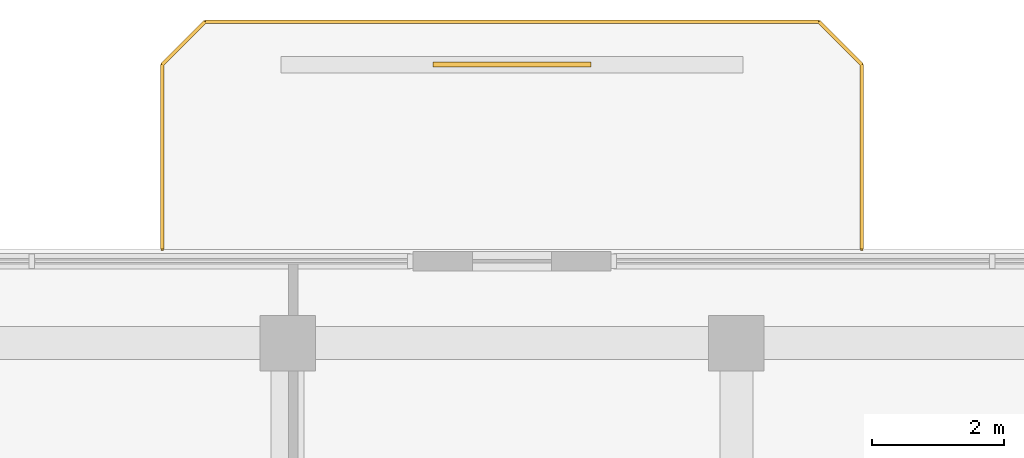
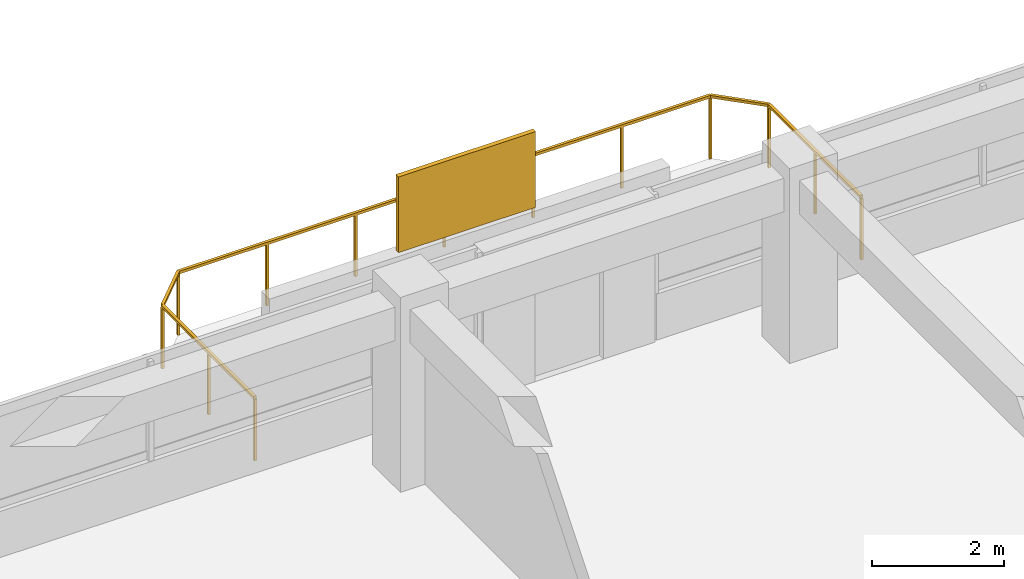
# One storey, part 14 of 14: 1 railing, 1 shading device.
"""IFC4 building model written with IfcOpenShell, lengths in metres."""

from ifc_helpers import new_model, si_unit, derived_unit, direction, frame, origin, origin_2d, place, context, subcontext, project, spatial, rectangle, extrude, material, layer, layer_set, type_object, element, save


model = new_model("IFC4")

# Units and contexts
model_context = context("Model", 3, precision=1e-05, world=origin(), true_north=direction((0.0, 1.0)))
body_context = subcontext(model_context, "Body", "Model", "MODEL_VIEW")
ifc_project = project(units=[si_unit("LENGTHUNIT", "METRE"), si_unit("AREAUNIT", "SQUARE_METRE"), si_unit("VOLUMEUNIT", "CUBIC_METRE"), si_unit("PLANEANGLEUNIT", "RADIAN"), si_unit("MASSUNIT", "GRAM", prefix="KILO"), derived_unit("THERMALTRANSMITTANCEUNIT", [(si_unit("POWERUNIT", "WATT"), 1), (si_unit("LENGTHUNIT", "METRE"), -2), (si_unit("THERMODYNAMICTEMPERATUREUNIT", "KELVIN"), -1)])], contexts=[model_context])

# Site, building, storey
site_placement = place(None, origin())
site = spatial("IfcSite", under=ifc_project, at=site_placement, CompositionType="ELEMENT")
building_placement = place(site_placement, origin())
building = spatial("IfcBuilding", under=site, at=building_placement, Name="Koralith Skygarden Medical Center", CompositionType="ELEMENT")
storey_placement = place(building_placement, frame((0.0, 0.0, 246.419921875)))
storey = spatial("IfcBuildingStorey", under=building, at=storey_placement, Name="L63", CompositionType="ELEMENT", Elevation=246.419921875)

# Railing
ifc_material_1 = material(Name="Steel ASTM A500 Grade C", Category="steel")
railing_type = type_object("IfcRailingType", Name="Outdoor Terrace & Balcony Safety Guardrail 1180", PredefinedType="GUARDRAIL", material=ifc_material_1)
railing_placement = place(storey_placement, frame((42.300048828125, 47.39990234375, 0.0)))
element("IfcRailing", 1, at=railing_placement, inside=storey, type_object=railing_type, Name="L63 N Balcony Perimeter Guardrail", PredefinedType="GUARDRAIL", context=body_context, shape_type="SweptSolid", body=[
    extrude(rectangle(XDim=0.050048828125, YDim=0.050048828125, at=origin_2d()), frame((0.0, 0.001953125, 1.15478515625), z_axis=(0.0, 1.0, 0.0), x_axis=(-1.0, 0.0, 0.0)), (0.0, 0.0, 1.0), 2.796142578125),
    extrude(rectangle(XDim=0.050048828125, YDim=0.050048828125, at=origin_2d()), frame((-0.00146484375, 2.801513671875, 1.15478515625), z_axis=(-0.707106781187, 0.707106781187, 0.0), x_axis=(-0.707106781187, -0.707106781187, 0.0)), (0.0, 0.0, 1.0), 0.91552734375),
    extrude(rectangle(XDim=0.050048828125, YDim=0.050048828125, at=origin_2d()), frame((-0.652099609375, 3.4501953125, 1.15478515625), z_axis=(-1.0, 0.0, 0.0), x_axis=(0.0, -1.0, 0.0)), (0.0, 0.0, 1.0), 9.2958984375),
    extrude(rectangle(XDim=0.050048828125, YDim=0.050048828125, at=origin_2d()), frame((-9.951416015625, 3.44873046875, 1.15478515625), z_axis=(-0.707106781187, -0.707106781187, 0.0), x_axis=(0.707106781187, -0.707106781187, 0.0)), (0.0, 0.0, 1.0), 0.91552734375),
    extrude(rectangle(XDim=0.050048828125, YDim=0.050048828125, at=origin_2d()), frame((-10.60009765625, 2.798095703125, 1.15478515625), z_axis=(0.0, -1.0, 0.0), x_axis=(1.0, 0.0, 0.0)), (0.0, 0.0, 1.0), 2.796142578125),
    extrude(rectangle(XDim=0.0419921875, YDim=0.0419921875, at=origin_2d()), origin(), (0.0, 0.0, 1.0), 1.1279296875),
    extrude(rectangle(XDim=0.0419921875, YDim=0.0419921875, at=origin_2d()), frame((0.0, 1.39990234375, 0.0)), (0.0, 0.0, 1.0), 1.1279296875),
    extrude(rectangle(XDim=0.0419921875, YDim=0.0419921875, at=origin_2d()), frame((0.0, 2.800048828125, 0.0)), (0.0, 0.0, 1.0), 1.1279296875),
    extrude(rectangle(XDim=0.0419921875, YDim=0.0419921875, at=origin_2d()), frame((-0.650146484375, 3.4501953125, 0.0)), (0.0, 0.0, 1.0), 1.1279296875),
    extrude(rectangle(XDim=0.0419921875, YDim=0.0419921875, at=origin_2d()), frame((-2.2001953125, 3.4501953125, 0.0)), (0.0, 0.0, 1.0), 1.1279296875),
    extrude(rectangle(XDim=0.0419921875, YDim=0.0419921875, at=origin_2d()), frame((-3.75, 3.4501953125, 0.0)), (0.0, 0.0, 1.0), 1.1279296875),
    extrude(rectangle(XDim=0.0419921875, YDim=0.0419921875, at=origin_2d()), frame((-5.300048828125, 3.4501953125, 0.0)), (0.0, 0.0, 1.0), 1.1279296875),
    extrude(rectangle(XDim=0.0419921875, YDim=0.0419921875, at=origin_2d()), frame((-6.85009765625, 3.4501953125, 0.0)), (0.0, 0.0, 1.0), 1.1279296875),
    extrude(rectangle(XDim=0.0419921875, YDim=0.0419921875, at=origin_2d()), frame((-8.39990234375, 3.4501953125, 0.0)), (0.0, 0.0, 1.0), 1.1279296875),
    extrude(rectangle(XDim=0.0419921875, YDim=0.0419921875, at=origin_2d()), frame((-9.949951171875, 3.4501953125, 0.0)), (0.0, 0.0, 1.0), 1.1279296875),
    extrude(rectangle(XDim=0.0419921875, YDim=0.0419921875, at=origin_2d()), frame((-10.60009765625, 2.800048828125, 0.0)), (0.0, 0.0, 1.0), 1.1279296875),
    extrude(rectangle(XDim=0.0419921875, YDim=0.0419921875, at=origin_2d()), frame((-10.60009765625, 1.39990234375, 0.0)), (0.0, 0.0, 1.0), 1.1279296875),
    extrude(rectangle(XDim=0.0419921875, YDim=0.0419921875, at=origin_2d()), frame((-10.60009765625, 0.0, 0.0)), (0.0, 0.0, 1.0), 1.1279296875),
])

# Shading device
ifc_material_2 = material(Name="Aluminium 6063-T6", Category="aluminium")
ifc_layer = layer(ifc_material_2, 0.080078125)
ifc_layer_set = layer_set([ifc_layer], Name="Aluminium 6063-T6")
shading_device_type = type_object("IfcShadingDeviceType", Name="Perforated Biophilic Balcony Trellis Screen", PredefinedType="USERDEFINED", material=ifc_layer_set)
shading_device_placement = place(storey_placement, frame((37.0, 50.199951171875, 0.72021484375), z_axis=(0.0, 0.0, 1.0), x_axis=(1.0, 0.0, 0.0)))
element("IfcShadingDevice", 2, at=shading_device_placement, inside=storey, type_object=shading_device_type, Name="L63 N Biophilic Balcony Trellis Screen", ObjectType="HURRICANE SCREEN", PredefinedType="USERDEFINED", context=body_context, shape_type="SweptSolid", body=[
    extrude(rectangle(XDim=2.39990234375, YDim=0.080078125, at=origin_2d()), origin(), (0.0, 0.0, 1.0), 1.39990234375),
])

save(model, "model.ifc")
